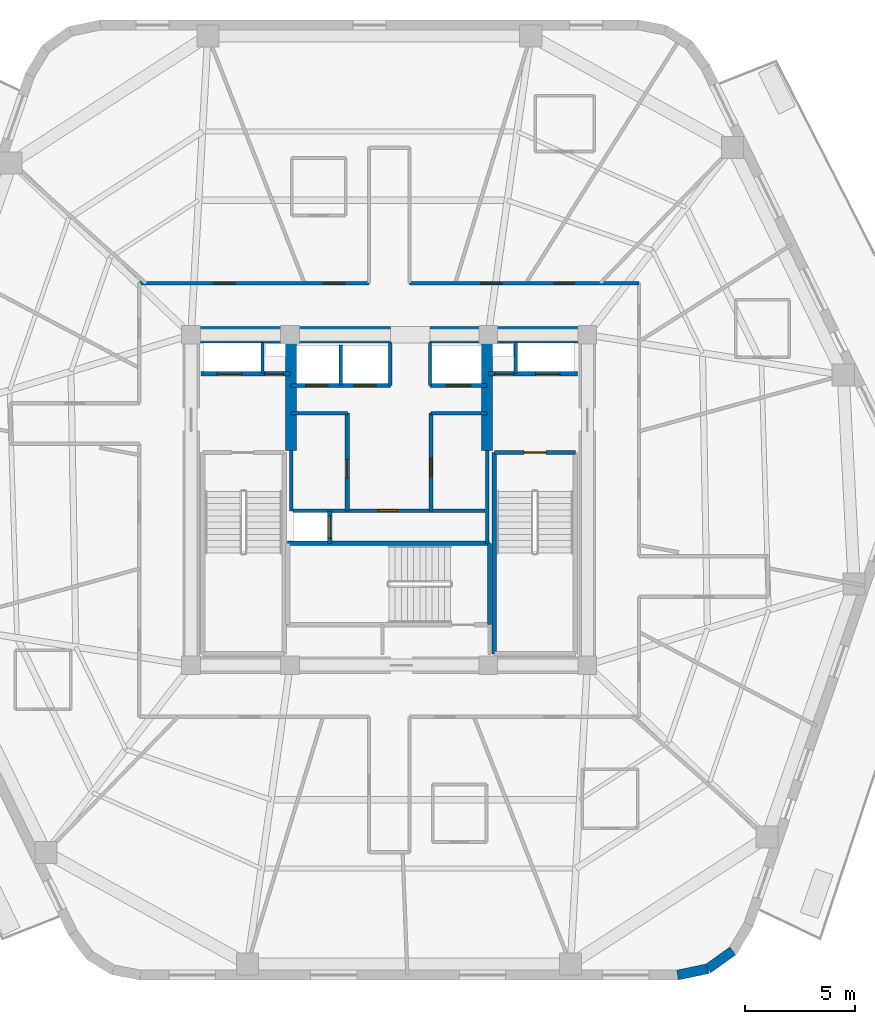
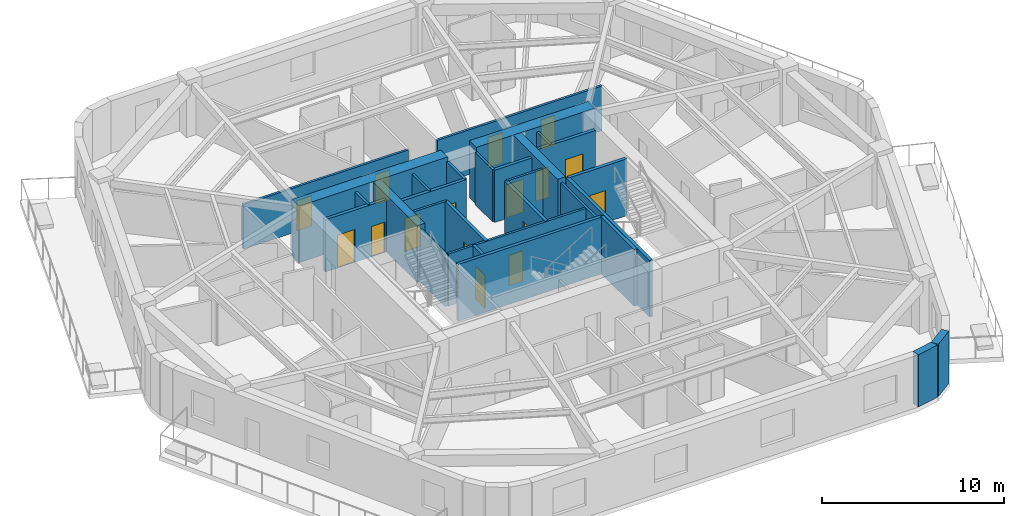
# One storey, part 4 of 9: 29 walls, 16 doors, 16 openings.
"""IFC4 building model written with IfcOpenShell, lengths in metres."""

from ifc_helpers import new_model, si_unit, direction, frame, frame_2d, origin, place, context, subcontext, project, spatial, rectangle, extrude, material, layer, layer_set, type_object, element, fill, save


model = new_model("IFC4")

# Units and contexts
model_context = context("Model", 3, precision=1e-05, world=origin(), true_north=direction((0.0, 1.0)))
body_context = subcontext(model_context, "Body", "Model", "MODEL_VIEW")
ifc_project = project(units=[si_unit("LENGTHUNIT", "METRE"), si_unit("AREAUNIT", "SQUARE_METRE"), si_unit("VOLUMEUNIT", "CUBIC_METRE"), si_unit("PLANEANGLEUNIT", "RADIAN"), si_unit("MASSUNIT", "GRAM", prefix="KILO")], contexts=[model_context])

# Site, building, storey
site_placement = place(None, origin())
site = spatial("IfcSite", under=ifc_project, at=site_placement, CompositionType="ELEMENT")
building_placement = place(site_placement, origin())
building = spatial("IfcBuilding", under=site, at=building_placement, Name="Kilnhurst Terrace Hotel", CompositionType="ELEMENT")
storey_placement = place(building_placement, frame((0.0, 0.0, 240.699951171875)))
storey = spatial("IfcBuildingStorey", under=building, at=storey_placement, Name="L60", CompositionType="ELEMENT", Elevation=240.699951171875)

# Walls
ifc_material_1 = material(Name="Precast concrete C40/50", Category="concrete")
ifc_layer_1 = layer(ifc_material_1, 0.449951171875, Name="Precast concrete C40/50")
ifc_layer_set_1 = layer_set([ifc_layer_1], Name="Precast concrete C40/50")
wall_type_1 = type_object("IfcWallType", Name="WL-BRK-450", PredefinedType="SOLIDWALL", material=ifc_layer_set_1)
wall_1_placement = place(storey_placement, frame((13.1015625, -21.574951171875, 0.0), z_axis=(0.0, 0.0, 1.0), x_axis=(0.978757421505, 0.205021730188, 0.0)))
element("IfcWall", 1, at=wall_1_placement, inside=storey, type_object=wall_type_1, Name="L60 Rounded Corner Brick Wall C2.1", PredefinedType="SOLIDWALL", context=body_context, shape_type="SweptSolid", body=[
    extrude(rectangle(XDim=1.40625, YDim=0.449951171875, at=frame_2d((0.703125, 0.0))), origin(), (0.0, 0.0, 1.0), 3.5),
])
wall_2_placement = place(storey_placement, frame((14.47802734375, -21.28662109375, 0.0), z_axis=(0.0, 0.0, 1.0), x_axis=(0.813888518617, 0.58102106611, 0.0)))
element("IfcWall", 2, at=wall_2_placement, inside=storey, type_object=wall_type_1, Name="L60 Rounded Corner Brick Wall C2.2", PredefinedType="SOLIDWALL", context=body_context, shape_type="SweptSolid", body=[
    extrude(rectangle(XDim=1.3828125, YDim=0.449951171875, at=frame_2d((0.69140625, 0.0))), origin(), (0.0, 0.0, 1.0), 3.5),
])

# Wall, openings, doors
ifc_material_2 = material(Name="Acoustic Double-Gypsum Corridor Partition Assembly")
ifc_layer_2 = layer(ifc_material_2, 0.14990234375, Name="Acoustic Double-Gypsum Corridor Partition Assembly")
ifc_layer_set_2 = layer_set([ifc_layer_2], Name="Acoustic Double-Gypsum Corridor Partition Assembly")
wall_type_2 = type_object("IfcWallType", Name="WL-COR-150", PredefinedType="PARTITIONING", material=ifc_layer_set_2)
wall_3_placement = place(storey_placement, frame((-11.35009765625, 9.85009765625, 0.0), z_axis=(0.0, 0.0, 1.0), x_axis=(1.0, 0.0, 0.0)))
wall_3 = element("IfcWall", 3, at=wall_3_placement, inside=storey, type_object=wall_type_2, Name="L60 Interior Wall WL-L60-COR-06", PredefinedType="PARTITIONING", context=body_context, shape_type="SweptSolid", body=[
    extrude(rectangle(XDim=10.43017578125, YDim=0.14990234375, at=frame_2d((5.215087890625, 0.0))), origin(), (0.0, 0.0, 1.0), 2.989990234375),
])
opening_1_placement = place(wall_3_placement, frame((8.362060546875, 0.0, 0.0)))
opening_1 = element("IfcOpeningElement", 4, at=opening_1_placement, cuts=wall_3, Name="Opening D-60B", PredefinedType="OPENING", context=body_context, shape_type="SweptSolid", body=[
    extrude(rectangle(XDim=0.949951171875, YDim=2.030029296875, at=frame_2d((0.47509765625, 1.01513671875))), frame((0.0, 0.0849609375, 0.0), z_axis=(0.0, -1.0, 0.0), x_axis=(1.0, 0.0, 0.0)), (0.0, 0.0, 1.0), 0.169921875),
])
opening_2_placement = place(wall_3_placement, frame((3.39599609375, 0.0, 0.0)))
opening_2 = element("IfcOpeningElement", 5, at=opening_2_placement, cuts=wall_3, Name="Opening D-60B", PredefinedType="OPENING", context=body_context, shape_type="SweptSolid", body=[
    extrude(rectangle(XDim=0.949951171875, YDim=2.030029296875, at=frame_2d((0.47509765625, 1.01513671875))), frame((0.0, 0.0849609375, 0.0), z_axis=(0.0, -1.0, 0.0), x_axis=(1.0, 0.0, 0.0)), (0.0, 0.0, 1.0), 0.169921875),
])
ifc_material_3 = material(Name="Acoustic Walnut Veneer Solid-Core Fire Door")
door_type_1 = type_object("IfcDoorType", Name="DR-FD60-950", OperationType="NOTDEFINED", PredefinedType="DOOR", material=ifc_material_3)
door_1_placement = place(opening_1_placement, origin())
door_1 = element("IfcDoor", 6, at=door_1_placement, inside=storey, type_object=door_type_1, Name="L60 Executive Suite Entry Door 5", OperationType="SINGLE_SWING_LEFT", OverallHeight=2.030029296875, OverallWidth=0.949951171875, PredefinedType="DOOR", context=body_context, shape_type="SweptSolid", body=[
    extrude(rectangle(XDim=0.949951171875, YDim=2.030029296875, at=frame_2d((0.47509765625, 1.01513671875))), frame((0.0, 0.02490234375, 0.0), z_axis=(0.0, -1.0, 0.0), x_axis=(1.0, 0.0, 0.0)), (0.0, 0.0, 1.0), 0.050048828125),
])
fill(opening_1, door_1)
door_2_placement = place(opening_2_placement, origin())
door_2 = element("IfcDoor", 7, at=door_2_placement, inside=storey, type_object=door_type_1, Name="L60 Club Lounge Door", OperationType="SINGLE_SWING_RIGHT", OverallHeight=2.030029296875, OverallWidth=0.949951171875, PredefinedType="DOOR", context=body_context, shape_type="SweptSolid", body=[
    extrude(rectangle(XDim=0.949951171875, YDim=2.030029296875, at=frame_2d((0.47509765625, 1.01513671875))), frame((0.0, 0.02490234375, 0.0), z_axis=(0.0, -1.0, 0.0), x_axis=(1.0, 0.0, 0.0)), (0.0, 0.0, 1.0), 0.050048828125),
])
fill(opening_2, door_2)

wall_4_placement = place(storey_placement, frame((0.919921875, 9.85009765625, 0.0), z_axis=(0.0, 0.0, 1.0), x_axis=(1.0, 0.0, 0.0)))
wall_4 = element("IfcWall", 8, at=wall_4_placement, inside=storey, type_object=wall_type_2, Name="L60 Interior Wall WL-L60-COR-10", PredefinedType="PARTITIONING", context=body_context, shape_type="SweptSolid", body=[
    extrude(rectangle(XDim=10.43017578125, YDim=0.14990234375, at=frame_2d((5.215087890625, 0.0))), origin(), (0.0, 0.0, 1.0), 2.989990234375),
])
opening_3_placement = place(wall_4_placement, frame((6.576904296875, 0.0, 0.0)))
opening_3 = element("IfcOpeningElement", 9, at=opening_3_placement, cuts=wall_4, Name="Opening D-60C", PredefinedType="OPENING", context=body_context, shape_type="SweptSolid", body=[
    extrude(rectangle(XDim=0.89990234375, YDim=2.030029296875, at=frame_2d((0.449951171875, 1.01513671875))), frame((0.0, 0.0849609375, 0.0), z_axis=(0.0, -1.0, 0.0), x_axis=(1.0, 0.0, 0.0)), (0.0, 0.0, 1.0), 0.169921875),
])
opening_4_placement = place(wall_4_placement, frame((3.23388671875, 0.0, 0.0)))
opening_4 = element("IfcOpeningElement", 10, at=opening_4_placement, cuts=wall_4, Name="Opening D-60B", PredefinedType="OPENING", context=body_context, shape_type="SweptSolid", body=[
    extrude(rectangle(XDim=0.949951171875, YDim=2.030029296875, at=frame_2d((0.47509765625, 1.01513671875))), frame((0.0, 0.0849609375, 0.0), z_axis=(0.0, -1.0, 0.0), x_axis=(1.0, 0.0, 0.0)), (0.0, 0.0, 1.0), 0.169921875),
])
ifc_material_4 = material(Name="Painted Solid-Core Service Fire Door")
door_type_2 = type_object("IfcDoorType", Name="DR-FD60-900", OperationType="NOTDEFINED", PredefinedType="DOOR", material=ifc_material_4)
door_3_placement = place(opening_3_placement, origin())
door_3 = element("IfcDoor", 11, at=door_3_placement, inside=storey, type_object=door_type_2, Name="L60 Executive Work Office Door 3", OperationType="SINGLE_SWING_LEFT", OverallHeight=2.030029296875, OverallWidth=0.89990234375, PredefinedType="DOOR", context=body_context, shape_type="SweptSolid", body=[
    extrude(rectangle(XDim=0.89990234375, YDim=2.030029296875, at=frame_2d((0.449951171875, 1.01513671875))), frame((0.0, 0.02490234375, 0.0), z_axis=(0.0, -1.0, 0.0), x_axis=(1.0, 0.0, 0.0)), (0.0, 0.0, 1.0), 0.050048828125),
])
fill(opening_3, door_3)
door_4_placement = place(opening_4_placement, origin())
door_4 = element("IfcDoor", 12, at=door_4_placement, inside=storey, type_object=door_type_1, Name="L60 Guest Room Entry Door 4", OperationType="SINGLE_SWING_RIGHT", OverallHeight=2.030029296875, OverallWidth=0.949951171875, PredefinedType="DOOR", context=body_context, shape_type="SweptSolid", body=[
    extrude(rectangle(XDim=0.949951171875, YDim=2.030029296875, at=frame_2d((0.47509765625, 1.01513671875))), frame((0.0, 0.02490234375, 0.0), z_axis=(0.0, -1.0, 0.0), x_axis=(1.0, 0.0, 0.0)), (0.0, 0.0, 1.0), 0.050048828125),
])
fill(opening_4, door_4)

# Walls
ifc_material_5 = material(Name="Concrete C60/75", Category="concrete")
ifc_layer_3 = layer(ifc_material_5, 0.75, Name="Concrete C60/75")
ifc_layer_set_3 = layer_set([ifc_layer_3], Name="Concrete C60/75")
wall_type_3 = type_object("IfcWallType", Name="WL-CORE-750", PredefinedType="SHEAR", material=ifc_layer_set_3)
wall_5_placement = place(storey_placement, frame((-9.375, 7.5, 0.0), z_axis=(0.0, 0.0, 1.0), x_axis=(1.0, 0.0, 0.0)))
element("IfcWall", 13, at=wall_5_placement, inside=storey, type_object=wall_type_3, Name="L60 Core North West Shear Wall", PredefinedType="SHEAR", context=body_context, shape_type="SweptSolid", body=[
    extrude(rectangle(XDim=9.425048828125, YDim=0.75, at=frame_2d((4.71240234375, 0.0))), origin(), (0.0, 0.0, 1.0), 3.800048828125),
])
wall_6_placement = place(storey_placement, frame((1.85009765625, 7.5, 0.0), z_axis=(0.0, 0.0, 1.0), x_axis=(1.0, 0.0, 0.0)))
element("IfcWall", 14, at=wall_6_placement, inside=storey, type_object=wall_type_3, Name="L60 Core North East Shear Wall", PredefinedType="SHEAR", context=body_context, shape_type="SweptSolid", body=[
    extrude(rectangle(XDim=7.52490234375, YDim=0.75, at=frame_2d((3.762451171875, 0.0))), origin(), (0.0, 0.0, 1.0), 3.800048828125),
])
ifc_layer_4 = layer(ifc_material_5, 0.5, Name="Concrete C60/75")
ifc_layer_set_4 = layer_set([ifc_layer_4], Name="Concrete C60/75")
wall_type_4 = type_object("IfcWallType", Name="WL-CORE-WEB-500", PredefinedType="SHEAR", material=ifc_layer_set_4)
for number, where, z_axis, x_axis, name in (
    (15, (-4.449951171875, 2.25, 0.0), (0.0, 0.0, 1.0), (0.0, 1.0, 0.0), "L60 Core Internal West Shear Web"),
    (16, (4.449951171875, 2.25, 0.0), (0.0, 0.0, 1.0), (0.0, 1.0, 0.0), "L60 Core Internal East Shear Web"),
):
    element("IfcWall", number, at=place(storey_placement, frame(where, z_axis=z_axis, x_axis=x_axis)), inside=storey, type_object=wall_type_4, Name=name, PredefinedType="SHEAR", context=body_context, shape_type="SweptSolid", body=[
        extrude(rectangle(XDim=4.875, YDim=0.5, at=frame_2d((2.4375, 0.0))), origin(), (0.0, 0.0, 1.0), 3.800048828125),
    ])
ifc_material_6 = material(Name="Fire-Rated Gypsum Shaftliner Assembly")
ifc_layer_5 = layer(ifc_material_6, 0.14990234375, Name="Fire-Rated Gypsum Shaftliner Assembly")
ifc_layer_set_5 = layer_set([ifc_layer_5], Name="Fire-Rated Gypsum Shaftliner Assembly")
wall_type_5 = type_object("IfcWallType", Name="WL-SHAFT-150", PredefinedType="PARTITIONING", material=ifc_layer_set_5)
for number, where, z_axis, x_axis, name in (
    (17, (-5.75, 5.739990234375, 0.0), (0.0, 0.0, 1.0), (0.0, 1.0, 0.0), "L60 Interior Wall WL-L60-RIS1-DIV"),
    (18, (5.75, 5.739990234375, 0.0), (0.0, 0.0, 1.0), (0.0, 1.0, 0.0), "L60 Interior Wall WL-L60-RIS2-DIV"),
):
    element("IfcWall", number, at=place(storey_placement, frame(where, z_axis=z_axis, x_axis=x_axis)), inside=storey, type_object=wall_type_5, Name=name, PredefinedType="PARTITIONING", context=body_context, shape_type="SweptSolid", body=[
        extrude(rectangle(XDim=1.409912109375, YDim=0.14990234375, at=frame_2d((0.705078125, 0.0))), origin(), (0.0, 0.0, 1.0), 3.5),
    ])
wall_7_placement = place(storey_placement, frame((-2.199951171875, 5.199951171875, 0.0), z_axis=(0.0, 0.0, 1.0), x_axis=(0.0, 1.0, 0.0)))
element("IfcWall", 19, at=wall_7_placement, inside=storey, type_object=wall_type_5, Name="L60 Interior Wall WL-L60-HR-DIV1", PredefinedType="PARTITIONING", context=body_context, shape_type="SweptSolid", body=[
    extrude(rectangle(XDim=1.85009765625, YDim=0.14990234375, at=frame_2d((0.925048828125, 0.0))), origin(), (0.0, 0.0, 1.0), 3.5),
])
for number, where, z_axis, x_axis, name in (
    (20, (0.050048828125, 5.199951171875, 0.0), (0.0, 0.0, 1.0), (0.0, 1.0, 0.0), "L60 Interior Wall WL-L60-HR-PORTAL-W"),
    (21, (1.85009765625, 5.199951171875, 0.0), (0.0, 0.0, 1.0), (0.0, 1.0, 0.0), "L60 Interior Wall WL-L60-HR-PORTAL-E"),
):
    element("IfcWall", number, at=place(storey_placement, frame(where, z_axis=z_axis, x_axis=x_axis)), inside=storey, type_object=wall_type_5, Name=name, PredefinedType="PARTITIONING", context=body_context, shape_type="SweptSolid", body=[
        extrude(rectangle(XDim=1.949951171875, YDim=0.14990234375, at=frame_2d((0.97509765625, 0.0))), origin(), (0.0, 0.0, 1.0), 3.5),
    ])
wall_8_placement = place(storey_placement, frame((-4.449951171875, -0.5, 0.0), z_axis=(0.0, 0.0, 1.0), x_axis=(0.0, 1.0, 0.0)))
element("IfcWall", 22, at=wall_8_placement, inside=storey, type_object=wall_type_5, Name="L60 Interior Wall WL-L60-XLOB-W", PredefinedType="PARTITIONING", context=body_context, shape_type="SweptSolid", body=[
    extrude(rectangle(XDim=2.75, YDim=0.14990234375, at=frame_2d((1.375, 0.0))), origin(), (0.0, 0.0, 1.0), 3.5),
])
wall_9_placement = place(storey_placement, frame((4.449951171875, -1.971923828125, 0.0), z_axis=(0.0, 0.0, 1.0), x_axis=(0.0, 1.0, 0.0)))
element("IfcWall", 23, at=wall_9_placement, inside=storey, type_object=wall_type_5, Name="L60 Interior Wall WL-L60-XLOB-E", PredefinedType="PARTITIONING", context=body_context, shape_type="SweptSolid", body=[
    extrude(rectangle(XDim=4.221923828125, YDim=0.14990234375, at=frame_2d((2.11083984375, 0.0))), origin(), (0.0, 0.0, 1.0), 3.5),
])
for number, where, z_axis, x_axis, name in (
    (24, (-4.449951171875, 3.93994140625, 0.0), (0.0, 0.0, 1.0), (1.0, 0.0, 0.0), "L60 Interior Wall WL-L60-LR-NORTH"),
    (25, (1.89990234375, 3.93994140625, 0.0), (0.0, 0.0, 1.0), (1.0, 0.0, 0.0), "L60 Interior Wall WL-L60-MR-NORTH"),
):
    element("IfcWall", number, at=place(storey_placement, frame(where, z_axis=z_axis, x_axis=x_axis)), inside=storey, type_object=wall_type_5, Name=name, PredefinedType="PARTITIONING", context=body_context, shape_type="SweptSolid", body=[
        extrude(rectangle(XDim=2.550048828125, YDim=0.14990234375, at=frame_2d((1.27490234375, 0.0))), origin(), (0.0, 0.0, 1.0), 3.5),
    ])

# Wall, opening, door
wall_10_placement = place(storey_placement, frame((-4.360107421875, -0.489990234375, 0.0), z_axis=(0.0, 0.0, 1.0), x_axis=(1.0, 0.0, 0.0)))
wall_10 = element("IfcWall", 26, at=wall_10_placement, inside=storey, type_object=wall_type_5, Name="L60 Interior Wall WL-L60-BOH-N", PredefinedType="PARTITIONING", context=body_context, shape_type="SweptSolid", body=[
    extrude(rectangle(XDim=8.72021484375, YDim=0.14990234375, at=frame_2d((4.360107421875, 0.0))), origin(), (0.0, 0.0, 1.0), 3.5),
])
opening_5_placement = place(wall_10_placement, frame((3.860107421875, 0.0, 0.0)))
opening_5 = element("IfcOpeningElement", 27, at=opening_5_placement, cuts=wall_10, Name="Opening D-60C", PredefinedType="OPENING", context=body_context, shape_type="SweptSolid", body=[
    extrude(rectangle(XDim=0.89990234375, YDim=2.030029296875, at=frame_2d((0.449951171875, 1.01513671875))), frame((0.0, 0.0849609375, 0.0), z_axis=(0.0, -1.0, 0.0), x_axis=(1.0, 0.0, 0.0)), (0.0, 0.0, 1.0), 0.169921875),
])
door_5_placement = place(opening_5_placement, origin())
door_5 = element("IfcDoor", 28, at=door_5_placement, inside=storey, type_object=door_type_2, Name="L60 Housekeeping Laundry Door", OperationType="SINGLE_SWING_LEFT", OverallHeight=2.030029296875, OverallWidth=0.89990234375, PredefinedType="DOOR", context=body_context, shape_type="SweptSolid", body=[
    extrude(rectangle(XDim=0.89990234375, YDim=2.030029296875, at=frame_2d((0.449951171875, 1.01513671875))), frame((0.0, 0.02490234375, 0.0), z_axis=(0.0, -1.0, 0.0), x_axis=(1.0, 0.0, 0.0)), (0.0, 0.0, 1.0), 0.050048828125),
])
fill(opening_5, door_5)

# Wall, openings, doors
ifc_material_7 = material(Name="Autoclaved Aerated Concrete C30/37 and Gypsum Shaft Assembly", Category="concrete")
ifc_layer_6 = layer(ifc_material_7, 0.199951171875, Name="Autoclaved Aerated Concrete C30/37 and Gypsum Shaft Assembly")
ifc_layer_set_6 = layer_set([ifc_layer_6], Name="Autoclaved Aerated Concrete C30/37 and Gypsum Shaft Assembly")
wall_type_6 = type_object("IfcWallType", Name="WL-SHAFT-200", PredefinedType="PARTITIONING", material=ifc_layer_set_6)
wall_11_placement = place(storey_placement, frame((-8.550048828125, 5.739990234375, 0.0), z_axis=(0.0, 0.0, 1.0), x_axis=(1.0, 0.0, 0.0)))
wall_11 = element("IfcWall", 29, at=wall_11_placement, inside=storey, type_object=wall_type_6, Name="L60 Interior Wall WL-L60-FSAE1-S", PredefinedType="PARTITIONING", context=body_context, shape_type="SweptSolid", body=[
    extrude(rectangle(XDim=4.050048828125, YDim=0.199951171875, at=frame_2d((2.02490234375, 0.0))), origin(), (0.0, 0.0, 1.0), 3.5),
])
opening_6_placement = place(wall_11_placement, frame((0.75, 0.0, 0.0)))
opening_6 = element("IfcOpeningElement", 30, at=opening_6_placement, cuts=wall_11, Name="Opening LD-F1", PredefinedType="OPENING", context=body_context, shape_type="SweptSolid", body=[
    extrude(rectangle(XDim=1.10009765625, YDim=2.199951171875, at=frame_2d((0.550048828125, 1.10009765625))), frame((0.0, 0.10986328125, 0.0), z_axis=(0.0, -1.0, 0.0), x_axis=(1.0, 0.0, 0.0)), (0.0, 0.0, 1.0), 0.219970703125),
])
opening_7_placement = place(wall_11_placement, frame((2.89990234375, 0.0, 0.0)))
opening_7 = element("IfcOpeningElement", 31, at=opening_7_placement, cuts=wall_11, Name="Opening D-60D", PredefinedType="OPENING", context=body_context, shape_type="SweptSolid", body=[
    extrude(rectangle(XDim=0.85009765625, YDim=2.030029296875, at=frame_2d((0.425048828125, 1.01513671875))), frame((0.0, 0.10986328125, 0.0), z_axis=(0.0, -1.0, 0.0), x_axis=(1.0, 0.0, 0.0)), (0.0, 0.0, 1.0), 0.219970703125),
])
ifc_material_8 = material(Name="Painted Hollow Metal Steel ASTM A36 Riser Door", Category="steel")
door_type_3 = type_object("IfcDoorType", Name="DR-FD60-850", OperationType="NOTDEFINED", PredefinedType="DOOR", material=ifc_material_8)
door_6_placement = place(opening_7_placement, origin())
door_6 = element("IfcDoor", 32, at=door_6_placement, inside=storey, type_object=door_type_3, Name="L60 Electrical Riser Door", OperationType="SINGLE_SWING_LEFT", OverallHeight=2.030029296875, OverallWidth=0.85009765625, PredefinedType="DOOR", context=body_context, shape_type="SweptSolid", body=[
    extrude(rectangle(XDim=0.85009765625, YDim=2.030029296875, at=frame_2d((0.425048828125, 1.01513671875))), frame((0.0, 0.02490234375, 0.0), z_axis=(0.0, -1.0, 0.0), x_axis=(1.0, 0.0, 0.0)), (0.0, 0.0, 1.0), 0.050048828125),
])
fill(opening_7, door_6)
ifc_material_9 = material(Name="Bronze-Anodized Stainless Steel AISI 316L Sliding Door", Category="steel")
door_type_4 = type_object("IfcDoorType", Name="DR-LIFT-1100", OperationType="NOTDEFINED", PredefinedType="DOOR", material=ifc_material_9)
door_7_placement = place(opening_6_placement, origin())
door_7 = element("IfcDoor", 33, at=door_7_placement, inside=storey, type_object=door_type_4, Name="L60 FSAE-1 Landing Door", OperationType="SLIDING_TO_LEFT", OverallHeight=2.199951171875, OverallWidth=1.10009765625, PredefinedType="DOOR", context=body_context, shape_type="SweptSolid", body=[
    extrude(rectangle(XDim=1.10009765625, YDim=2.199951171875, at=frame_2d((0.550048828125, 1.10009765625))), frame((0.0, 0.02490234375, 0.0), z_axis=(0.0, -1.0, 0.0), x_axis=(1.0, 0.0, 0.0)), (0.0, 0.0, 1.0), 0.050048828125),
])
fill(opening_6, door_7)

wall_12_placement = place(storey_placement, frame((4.5, 5.739990234375, 0.0), z_axis=(0.0, 0.0, 1.0), x_axis=(1.0, 0.0, 0.0)))
wall_12 = element("IfcWall", 34, at=wall_12_placement, inside=storey, type_object=wall_type_6, Name="L60 Interior Wall WL-L60-FSAE2-S", PredefinedType="PARTITIONING", context=body_context, shape_type="SweptSolid", body=[
    extrude(rectangle(XDim=4.050048828125, YDim=0.199951171875, at=frame_2d((2.02490234375, 0.0))), origin(), (0.0, 0.0, 1.0), 3.5),
])
opening_8_placement = place(wall_12_placement, frame((0.300048828125, 0.0, 0.0)))
opening_8 = element("IfcOpeningElement", 35, at=opening_8_placement, cuts=wall_12, Name="Opening D-60D", PredefinedType="OPENING", context=body_context, shape_type="SweptSolid", body=[
    extrude(rectangle(XDim=0.85009765625, YDim=2.030029296875, at=frame_2d((0.425048828125, 1.01513671875))), frame((0.0, 0.10986328125, 0.0), z_axis=(0.0, -1.0, 0.0), x_axis=(1.0, 0.0, 0.0)), (0.0, 0.0, 1.0), 0.219970703125),
])
opening_9_placement = place(wall_12_placement, frame((2.14990234375, 0.0, 0.0)))
opening_9 = element("IfcOpeningElement", 36, at=opening_9_placement, cuts=wall_12, Name="Opening LD-F2", PredefinedType="OPENING", context=body_context, shape_type="SweptSolid", body=[
    extrude(rectangle(XDim=1.10009765625, YDim=2.199951171875, at=frame_2d((0.550048828125, 1.10009765625))), frame((0.0, 0.10986328125, 0.0), z_axis=(0.0, -1.0, 0.0), x_axis=(1.0, 0.0, 0.0)), (0.0, 0.0, 1.0), 0.219970703125),
])
door_8_placement = place(opening_8_placement, origin())
door_8 = element("IfcDoor", 37, at=door_8_placement, inside=storey, type_object=door_type_3, Name="L60 Telecom Riser Door", OperationType="SINGLE_SWING_RIGHT", OverallHeight=2.030029296875, OverallWidth=0.85009765625, PredefinedType="DOOR", context=body_context, shape_type="SweptSolid", body=[
    extrude(rectangle(XDim=0.85009765625, YDim=2.030029296875, at=frame_2d((0.425048828125, 1.01513671875))), frame((0.0, 0.02490234375, 0.0), z_axis=(0.0, -1.0, 0.0), x_axis=(1.0, 0.0, 0.0)), (0.0, 0.0, 1.0), 0.050048828125),
])
fill(opening_8, door_8)
door_9_placement = place(opening_9_placement, origin())
door_9 = element("IfcDoor", 38, at=door_9_placement, inside=storey, type_object=door_type_4, Name="L60 FSAE-2 Landing Door", OperationType="SLIDING_TO_RIGHT", OverallHeight=2.199951171875, OverallWidth=1.10009765625, PredefinedType="DOOR", context=body_context, shape_type="SweptSolid", body=[
    extrude(rectangle(XDim=1.10009765625, YDim=2.199951171875, at=frame_2d((0.550048828125, 1.10009765625))), frame((0.0, 0.02490234375, 0.0), z_axis=(0.0, -1.0, 0.0), x_axis=(1.0, 0.0, 0.0)), (0.0, 0.0, 1.0), 0.050048828125),
])
fill(opening_9, door_9)

# Wall, opening, door
wall_13_placement = place(storey_placement, frame((-2.699951171875, -1.971923828125, 0.0), z_axis=(0.0, 0.0, 1.0), x_axis=(0.0, 1.0, 0.0)))
wall_13 = element("IfcWall", 39, at=wall_13_placement, inside=storey, type_object=wall_type_6, Name="L60 Interior Wall WL-L60-SRV1-E", PredefinedType="PARTITIONING", context=body_context, shape_type="SweptSolid", body=[
    extrude(rectangle(XDim=1.471923828125, YDim=0.199951171875, at=frame_2d((0.73583984375, 0.0))), origin(), (0.0, 0.0, 1.0), 3.5),
])
opening_10_placement = place(wall_13_placement, frame((0.239990234375, 0.0, 0.0)))
opening_10 = element("IfcOpeningElement", 40, at=opening_10_placement, cuts=wall_13, Name="Opening LD-SV", PredefinedType="OPENING", context=body_context, shape_type="SweptSolid", body=[
    extrude(rectangle(XDim=1.0, YDim=2.199951171875, at=frame_2d((0.5, 1.10009765625))), frame((0.0, 0.10986328125, 0.0), z_axis=(0.0, -1.0, 0.0), x_axis=(1.0, 0.0, 0.0)), (0.0, 0.0, 1.0), 0.219970703125),
])
door_type_5 = type_object("IfcDoorType", Name="DR-LIFT-1000", OperationType="NOTDEFINED", PredefinedType="DOOR", material=ifc_material_9)
door_10_placement = place(opening_10_placement, origin())
door_10 = element("IfcDoor", 41, at=door_10_placement, inside=storey, type_object=door_type_5, Name="L60 Service Lift SRV-1 Landing Door", OperationType="SLIDING_TO_LEFT", OverallHeight=2.199951171875, OverallWidth=1.0, PredefinedType="DOOR", context=body_context, shape_type="SweptSolid", body=[
    extrude(rectangle(XDim=1.0, YDim=2.199951171875, at=frame_2d((0.5, 1.10009765625))), frame((0.0, 0.02490234375, 0.0), z_axis=(0.0, -1.0, 0.0), x_axis=(1.0, 0.0, 0.0)), (0.0, 0.0, 1.0), 0.050048828125),
])
fill(opening_10, door_10)

# Wall, openings, doors
wall_14_placement = place(storey_placement, frame((-4.449951171875, 5.199951171875, 0.0), z_axis=(0.0, 0.0, 1.0), x_axis=(1.0, 0.0, 0.0)))
wall_14 = element("IfcWall", 42, at=wall_14_placement, inside=storey, type_object=wall_type_6, Name="L60 Interior Wall WL-L60-HR-SW", PredefinedType="PARTITIONING", context=body_context, shape_type="SweptSolid", body=[
    extrude(rectangle(XDim=4.5, YDim=0.199951171875, at=frame_2d((2.25, 0.0))), origin(), (0.0, 0.0, 1.0), 3.5),
])
opening_11_placement = place(wall_14_placement, frame((0.64990234375, 0.0, 0.0)))
opening_11 = element("IfcOpeningElement", 43, at=opening_11_placement, cuts=wall_14, Name="Opening LD-HR", PredefinedType="OPENING", context=body_context, shape_type="SweptSolid", body=[
    extrude(rectangle(XDim=1.0, YDim=2.199951171875, at=frame_2d((0.5, 1.10009765625))), frame((0.0, 0.10986328125, 0.0), z_axis=(0.0, -1.0, 0.0), x_axis=(1.0, 0.0, 0.0)), (0.0, 0.0, 1.0), 0.219970703125),
])
opening_12_placement = place(wall_14_placement, frame((2.85009765625, 0.0, 0.0)))
opening_12 = element("IfcOpeningElement", 44, at=opening_12_placement, cuts=wall_14, Name="Opening LD-HS", PredefinedType="OPENING", context=body_context, shape_type="SweptSolid", body=[
    extrude(rectangle(XDim=1.0, YDim=2.199951171875, at=frame_2d((0.5, 1.10009765625))), frame((0.0, 0.10986328125, 0.0), z_axis=(0.0, -1.0, 0.0), x_axis=(1.0, 0.0, 0.0)), (0.0, 0.0, 1.0), 0.219970703125),
])
door_11_placement = place(opening_11_placement, origin())
door_11 = element("IfcDoor", 45, at=door_11_placement, inside=storey, type_object=door_type_5, Name="L60 High Rise Lift HR-1 Landing Door", OperationType="SLIDING_TO_LEFT", OverallHeight=2.199951171875, OverallWidth=1.0, PredefinedType="DOOR", context=body_context, shape_type="SweptSolid", body=[
    extrude(rectangle(XDim=1.0, YDim=2.199951171875, at=frame_2d((0.5, 1.10009765625))), frame((0.0, 0.02490234375, 0.0), z_axis=(0.0, -1.0, 0.0), x_axis=(1.0, 0.0, 0.0)), (0.0, 0.0, 1.0), 0.050048828125),
])
fill(opening_11, door_11)
door_12_placement = place(opening_12_placement, origin())
door_12 = element("IfcDoor", 46, at=door_12_placement, inside=storey, type_object=door_type_5, Name="L60 High Rise Lift HR-3 Landing Door", OperationType="SLIDING_TO_RIGHT", OverallHeight=2.199951171875, OverallWidth=1.0, PredefinedType="DOOR", context=body_context, shape_type="SweptSolid", body=[
    extrude(rectangle(XDim=1.0, YDim=2.199951171875, at=frame_2d((0.5, 1.10009765625))), frame((0.0, 0.02490234375, 0.0), z_axis=(0.0, -1.0, 0.0), x_axis=(1.0, 0.0, 0.0)), (0.0, 0.0, 1.0), 0.050048828125),
])
fill(opening_12, door_12)

# Wall, opening, door
wall_15_placement = place(storey_placement, frame((1.85009765625, 5.199951171875, 0.0), z_axis=(0.0, 0.0, 1.0), x_axis=(1.0, 0.0, 0.0)))
wall_15 = element("IfcWall", 47, at=wall_15_placement, inside=storey, type_object=wall_type_6, Name="L60 Interior Wall WL-L60-HR-SE", PredefinedType="PARTITIONING", context=body_context, shape_type="SweptSolid", body=[
    extrude(rectangle(XDim=2.599853515625, YDim=0.199951171875, at=frame_2d((1.2998046875, 0.0))), origin(), (0.0, 0.0, 1.0), 3.5),
])
opening_13_placement = place(wall_15_placement, frame((0.75, 0.0, 0.0)))
opening_13 = element("IfcOpeningElement", 48, at=opening_13_placement, cuts=wall_15, Name="Opening LD-H2", PredefinedType="OPENING", context=body_context, shape_type="SweptSolid", body=[
    extrude(rectangle(XDim=1.10009765625, YDim=2.199951171875, at=frame_2d((0.550048828125, 1.10009765625))), frame((0.0, 0.10986328125, 0.0), z_axis=(0.0, -1.0, 0.0), x_axis=(1.0, 0.0, 0.0)), (0.0, 0.0, 1.0), 0.219970703125),
])
door_13_placement = place(opening_13_placement, origin())
door_13 = element("IfcDoor", 49, at=door_13_placement, inside=storey, type_object=door_type_4, Name="L60 High Rise Lift HR-2 Landing Door", OperationType="SLIDING_TO_RIGHT", OverallHeight=2.199951171875, OverallWidth=1.10009765625, PredefinedType="DOOR", context=body_context, shape_type="SweptSolid", body=[
    extrude(rectangle(XDim=1.10009765625, YDim=2.199951171875, at=frame_2d((0.550048828125, 1.10009765625))), frame((0.0, 0.02490234375, 0.0), z_axis=(0.0, -1.0, 0.0), x_axis=(1.0, 0.0, 0.0)), (0.0, 0.0, 1.0), 0.050048828125),
])
fill(opening_13, door_13)

wall_16_placement = place(storey_placement, frame((-1.89990234375, -0.5, 0.0), z_axis=(0.0, 0.0, 1.0), x_axis=(0.0, 1.0, 0.0)))
wall_16 = element("IfcWall", 50, at=wall_16_placement, inside=storey, type_object=wall_type_6, Name="L60 Interior Wall WL-L60-LR-FRONT", PredefinedType="PARTITIONING", context=body_context, shape_type="SweptSolid", body=[
    extrude(rectangle(XDim=4.43994140625, YDim=0.199951171875, at=frame_2d((2.219970703125, 0.0))), origin(), (0.0, 0.0, 1.0), 3.5),
])
opening_14_placement = place(wall_16_placement, frame((1.5, 0.0, 0.0)))
opening_14 = element("IfcOpeningElement", 51, at=opening_14_placement, cuts=wall_16, Name="Opening D-60D", PredefinedType="OPENING", context=body_context, shape_type="SweptSolid", body=[
    extrude(rectangle(XDim=0.85009765625, YDim=2.030029296875, at=frame_2d((0.425048828125, 1.01513671875))), frame((0.0, 0.10986328125, 0.0), z_axis=(0.0, -1.0, 0.0), x_axis=(1.0, 0.0, 0.0)), (0.0, 0.0, 1.0), 0.219970703125),
])
door_14_placement = place(opening_14_placement, origin())
door_14 = element("IfcDoor", 52, at=door_14_placement, inside=storey, type_object=door_type_3, Name="L60 Reclaimed Linen Room Door", OperationType="SINGLE_SWING_LEFT", OverallHeight=2.030029296875, OverallWidth=0.85009765625, PredefinedType="DOOR", context=body_context, shape_type="SweptSolid", body=[
    extrude(rectangle(XDim=0.85009765625, YDim=2.030029296875, at=frame_2d((0.425048828125, 1.01513671875))), frame((0.0, 0.02490234375, 0.0), z_axis=(0.0, -1.0, 0.0), x_axis=(1.0, 0.0, 0.0)), (0.0, 0.0, 1.0), 0.050048828125),
])
fill(opening_14, door_14)

wall_17_placement = place(storey_placement, frame((1.89990234375, -0.5, 0.0), z_axis=(0.0, 0.0, 1.0), x_axis=(0.0, 1.0, 0.0)))
wall_17 = element("IfcWall", 53, at=wall_17_placement, inside=storey, type_object=wall_type_6, Name="L60 Interior Wall WL-L60-MR-FRONT", PredefinedType="PARTITIONING", context=body_context, shape_type="SweptSolid", body=[
    extrude(rectangle(XDim=4.43994140625, YDim=0.199951171875, at=frame_2d((2.219970703125, 0.0))), origin(), (0.0, 0.0, 1.0), 3.5),
])
opening_15_placement = place(wall_17_placement, frame((1.550048828125, 0.0, 0.0)))
opening_15 = element("IfcOpeningElement", 54, at=opening_15_placement, cuts=wall_17, Name="Opening D-60D", PredefinedType="OPENING", context=body_context, shape_type="SweptSolid", body=[
    extrude(rectangle(XDim=0.85009765625, YDim=2.030029296875, at=frame_2d((0.425048828125, 1.01513671875))), frame((0.0, 0.10986328125, 0.0), z_axis=(0.0, -1.0, 0.0), x_axis=(1.0, 0.0, 0.0)), (0.0, 0.0, 1.0), 0.219970703125),
])
door_15_placement = place(opening_15_placement, origin())
door_15 = element("IfcDoor", 55, at=door_15_placement, inside=storey, type_object=door_type_3, Name="L60 Staff Accessible Restroom Door", OperationType="SINGLE_SWING_RIGHT", OverallHeight=2.030029296875, OverallWidth=0.85009765625, PredefinedType="DOOR", context=body_context, shape_type="SweptSolid", body=[
    extrude(rectangle(XDim=0.85009765625, YDim=2.030029296875, at=frame_2d((0.425048828125, 1.01513671875))), frame((0.0, 0.02490234375, 0.0), z_axis=(0.0, -1.0, 0.0), x_axis=(1.0, 0.0, 0.0)), (0.0, 0.0, 1.0), 0.050048828125),
])
fill(opening_15, door_15)

# Wall
ifc_material_10 = material(Name="Concrete C50/60", Category="concrete")
ifc_layer_7 = layer(ifc_material_10, 0.199951171875, Name="Concrete C50/60")
ifc_layer_set_7 = layer_set([ifc_layer_7], Name="Concrete C50/60")
wall_type_7 = type_object("IfcWallType", Name="WL-STAIR-RC-200", PredefinedType="SHEAR", material=ifc_layer_set_7)
wall_18_placement = place(storey_placement, frame((4.77197265625, -6.985107421875, 0.0), z_axis=(0.0, 0.0, 1.0), x_axis=(0.0, 1.0, 0.0)))
element("IfcWall", 56, at=wall_18_placement, inside=storey, type_object=wall_type_7, Name="L60 Structural Stair Shaft Wall WL-L60-ST2-W", PredefinedType="SHEAR", context=body_context, shape_type="SweptSolid", body=[
    extrude(rectangle(XDim=9.14306640625, YDim=0.199951171875, at=frame_2d((4.571533203125, 0.0))), origin(), (0.0, 0.0, 1.0), 3.800048828125),
])

# Wall, opening, door
wall_19_placement = place(storey_placement, frame((4.77197265625, 2.157958984375, 0.0), z_axis=(0.0, 0.0, 1.0), x_axis=(1.0, 0.0, 0.0)))
wall_19 = element("IfcWall", 57, at=wall_19_placement, inside=storey, type_object=wall_type_7, Name="L60 Structural Stair Shaft Wall WL-L60-ST2-N", PredefinedType="SHEAR", context=body_context, shape_type="SweptSolid", body=[
    extrude(rectangle(XDim=3.68603515625, YDim=0.199951171875, at=frame_2d((1.843017578125, 0.0))), origin(), (0.0, 0.0, 1.0), 3.800048828125),
])
opening_16_placement = place(wall_19_placement, frame((1.35009765625, 0.0, 0.0)))
opening_16 = element("IfcOpeningElement", 58, at=opening_16_placement, cuts=wall_19, Name="Opening D-90B", PredefinedType="OPENING", context=body_context, shape_type="SweptSolid", body=[
    extrude(rectangle(XDim=1.0, YDim=2.14990234375, at=frame_2d((0.5, 1.074951171875))), frame((0.0, 0.10986328125, 0.0), z_axis=(0.0, -1.0, 0.0), x_axis=(1.0, 0.0, 0.0)), (0.0, 0.0, 1.0), 0.219970703125),
])
ifc_material_11 = material(Name="Painted Hollow Metal Steel ASTM A36 Fire Door", Category="steel")
door_type_6 = type_object("IfcDoorType", Name="DR-FD90-1000", OperationType="NOTDEFINED", PredefinedType="DOOR", material=ifc_material_11)
door_16_placement = place(opening_16_placement, origin())
door_16 = element("IfcDoor", 59, at=door_16_placement, inside=storey, type_object=door_type_6, Name="L60 Stair ST-2 Door", OperationType="SINGLE_SWING_RIGHT", OverallHeight=2.14990234375, OverallWidth=1.0, PredefinedType="DOOR", context=body_context, shape_type="SweptSolid", body=[
    extrude(rectangle(XDim=1.0, YDim=2.14990234375, at=frame_2d((0.5, 1.074951171875))), frame((0.0, 0.02490234375, 0.0), z_axis=(0.0, -1.0, 0.0), x_axis=(1.0, 0.0, 0.0)), (0.0, 0.0, 1.0), 0.050048828125),
])
fill(opening_16, door_16)

# Walls
wall_20_placement = place(storey_placement, frame((-4.60791015625, -1.971923828125, 0.0), z_axis=(0.0, 0.0, 1.0), x_axis=(1.0, 0.0, 0.0)))
element("IfcWall", 60, at=wall_20_placement, inside=storey, type_object=wall_type_7, Name="L60 Structural Stair Shaft Wall WL-L60-ST3-N", PredefinedType="SHEAR", context=body_context, shape_type="SweptSolid", body=[
    extrude(rectangle(XDim=9.166015625, YDim=0.199951171875, at=frame_2d((4.5830078125, 0.0))), origin(), (0.0, 0.0, 1.0), 3.800048828125),
])
wall_21_placement = place(storey_placement, frame((4.55810546875, -5.657958984375, 0.0), z_axis=(0.0, 0.0, 1.0), x_axis=(0.0, 1.0, 0.0)))
element("IfcWall", 61, at=wall_21_placement, inside=storey, type_object=wall_type_7, Name="L60 Structural Stair Shaft Wall WL-L60-ST3-E", PredefinedType="SHEAR", context=body_context, shape_type="SweptSolid", body=[
    extrude(rectangle(XDim=3.68603515625, YDim=0.199951171875, at=frame_2d((1.843017578125, 0.0))), origin(), (0.0, 0.0, 1.0), 3.800048828125),
])

save(model, "model.ifc")
